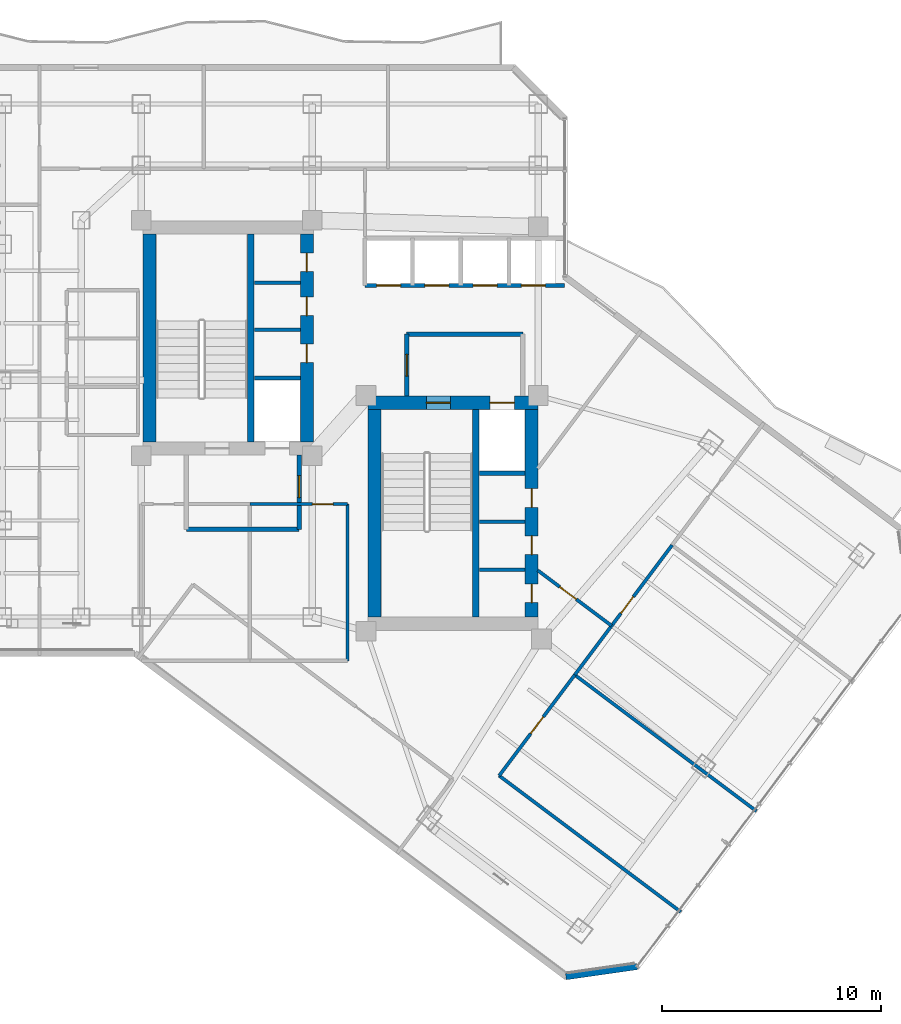
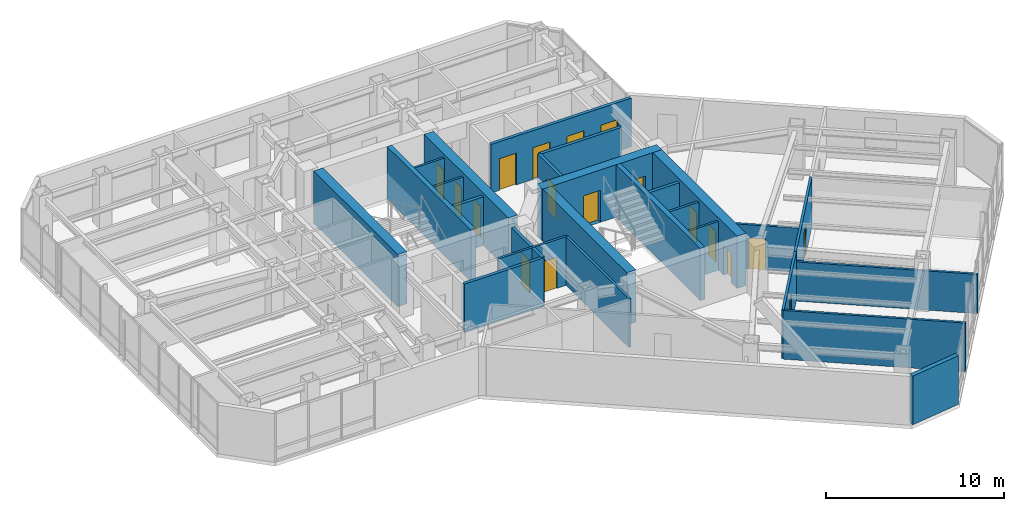
# One storey, part 23 of 28: 26 walls, 18 doors, 18 openings.
"""IFC4 building model written with IfcOpenShell, lengths in metres."""

from ifc_helpers import new_model, si_unit, direction, frame, frame_2d, origin, place, context, subcontext, project, spatial, rectangle, extrude, material, layer, layer_set, type_object, element, fill, save


model = new_model("IFC4")

# Units and contexts
model_context = context("Model", 3, precision=1e-05, world=origin(), true_north=direction((0.0, 1.0)))
body_context = subcontext(model_context, "Body", "Model", "MODEL_VIEW")
ifc_project = project(units=[si_unit("LENGTHUNIT", "METRE"), si_unit("AREAUNIT", "SQUARE_METRE"), si_unit("VOLUMEUNIT", "CUBIC_METRE"), si_unit("PLANEANGLEUNIT", "RADIAN"), si_unit("MASSUNIT", "GRAM", prefix="KILO")], contexts=[model_context])

# Site, building, storey
site_placement = place(None, origin())
site = spatial("IfcSite", under=ifc_project, at=site_placement, CompositionType="ELEMENT")
building_placement = place(site_placement, origin())
building = spatial("IfcBuilding", under=site, at=building_placement, Name="Hatsunagi Terrace Concourse", CompositionType="ELEMENT")
storey_placement = place(building_placement, frame((0.0, 0.0, 160.050048828125)))
storey = spatial("IfcBuildingStorey", under=building, at=storey_placement, Name="L42", CompositionType="ELEMENT", Elevation=160.050048828125)

# Wall
ifc_material_1 = material(Name="Concrete Fc48", Category="concrete")
ifc_layer_1 = layer(ifc_material_1, 0.60009765625)
ifc_layer_set_1 = layer_set([ifc_layer_1], Name="CoreShearWall_Fc48_600")
wall_type_1 = type_object("IfcWallType", Name="CoreShearWall_Fc48_600", PredefinedType="SHEAR", material=ifc_layer_set_1)
wall_1_placement = place(storey_placement, frame((25.919921875, 33.18994140625, 0.0), z_axis=(0.0, 0.0, 1.0), x_axis=(0.0, 1.0, 0.0)))
element("IfcWall", 1, at=wall_1_placement, inside=storey, type_object=wall_type_1, Name="Core A Shear Wall W L42", PredefinedType="SHEAR", context=body_context, shape_type="SweptSolid", body=[
    extrude(rectangle(XDim=9.47998046875, YDim=0.60009765625, at=frame_2d((4.739990234375, 0.0))), origin(), (0.0, 0.0, 1.0), 3.599853515625),
])

# Wall, openings, doors
wall_2_placement = place(storey_placement, frame((33.10009765625, 33.18994140625, 0.0), z_axis=(0.0, 0.0, 1.0), x_axis=(0.0, 1.0, 0.0)))
wall_2 = element("IfcWall", 2, at=wall_2_placement, inside=storey, type_object=wall_type_1, Name="Core A Shear Wall E L42", PredefinedType="SHEAR", context=body_context, shape_type="SweptSolid", body=[
    extrude(rectangle(XDim=9.47998046875, YDim=0.60009765625, at=frame_2d((4.739990234375, 0.0))), origin(), (0.0, 0.0, 1.0), 3.599853515625),
])
opening_1_placement = place(wall_2_placement, frame((3.610107421875, 0.0, 0.0)))
opening_1 = element("IfcOpeningElement", 3, at=opening_1_placement, cuts=wall_2, Name="Opening DR-085", PredefinedType="OPENING", context=body_context, shape_type="SweptSolid", body=[
    extrude(rectangle(XDim=0.85009765625, YDim=2.080078125, at=frame_2d((0.425048828125, 1.0400390625))), frame((0.0, 0.31005859375, 0.0), z_axis=(0.0, -1.0, 0.0), x_axis=(1.0, 0.0, 0.0)), (0.0, 0.0, 1.0), 0.6201171875),
])
opening_2_placement = place(wall_2_placement, frame((5.760009765625, 0.0, 0.0)))
opening_2 = element("IfcOpeningElement", 4, at=opening_2_placement, cuts=wall_2, Name="Opening DR-085", PredefinedType="OPENING", context=body_context, shape_type="SweptSolid", body=[
    extrude(rectangle(XDim=0.85009765625, YDim=2.080078125, at=frame_2d((0.425048828125, 1.0400390625))), frame((0.0, 0.31005859375, 0.0), z_axis=(0.0, -1.0, 0.0), x_axis=(1.0, 0.0, 0.0)), (0.0, 0.0, 1.0), 0.6201171875),
])
opening_3_placement = place(wall_2_placement, frame((7.760009765625, 0.0, 0.0)))
opening_3 = element("IfcOpeningElement", 5, at=opening_3_placement, cuts=wall_2, Name="Opening DR-085", PredefinedType="OPENING", context=body_context, shape_type="SweptSolid", body=[
    extrude(rectangle(XDim=0.85009765625, YDim=2.080078125, at=frame_2d((0.425048828125, 1.0400390625))), frame((0.0, 0.31005859375, 0.0), z_axis=(0.0, -1.0, 0.0), x_axis=(1.0, 0.0, 0.0)), (0.0, 0.0, 1.0), 0.6201171875),
])
ifc_material_2 = material(Name="Painted steel", Category="steel")
door_type_1 = type_object("IfcDoorType", Name="RiserAccessDoor_EI60_850", OperationType="NOTDEFINED", PredefinedType="DOOR", material=ifc_material_2)
door_1_placement = place(opening_1_placement, origin())
door_1 = element("IfcDoor", 6, at=door_1_placement, inside=storey, type_object=door_type_1, Name="Core A Riser Door L42-1", OperationType="SINGLE_SWING_LEFT", OverallHeight=2.080078125, OverallWidth=0.85009765625, PredefinedType="DOOR", context=body_context, shape_type="SweptSolid", body=[
    extrude(rectangle(XDim=0.85009765625, YDim=2.080078125, at=frame_2d((0.425048828125, 1.0400390625))), frame((0.0, 0.02490234375, 0.0), z_axis=(0.0, -1.0, 0.0), x_axis=(1.0, 0.0, 0.0)), (0.0, 0.0, 1.0), 0.050048828125),
])
fill(opening_1, door_1)
door_2_placement = place(opening_2_placement, origin())
door_2 = element("IfcDoor", 7, at=door_2_placement, inside=storey, type_object=door_type_1, Name="Core A Riser Door L42-2", OperationType="SINGLE_SWING_LEFT", OverallHeight=2.080078125, OverallWidth=0.85009765625, PredefinedType="DOOR", context=body_context, shape_type="SweptSolid", body=[
    extrude(rectangle(XDim=0.85009765625, YDim=2.080078125, at=frame_2d((0.425048828125, 1.0400390625))), frame((0.0, 0.02490234375, 0.0), z_axis=(0.0, -1.0, 0.0), x_axis=(1.0, 0.0, 0.0)), (0.0, 0.0, 1.0), 0.050048828125),
])
fill(opening_2, door_2)
door_3_placement = place(opening_3_placement, origin())
door_3 = element("IfcDoor", 8, at=door_3_placement, inside=storey, type_object=door_type_1, Name="Core A Riser Door L42-3", OperationType="SINGLE_SWING_LEFT", OverallHeight=2.080078125, OverallWidth=0.85009765625, PredefinedType="DOOR", context=body_context, shape_type="SweptSolid", body=[
    extrude(rectangle(XDim=0.85009765625, YDim=2.080078125, at=frame_2d((0.425048828125, 1.0400390625))), frame((0.0, 0.02490234375, 0.0), z_axis=(0.0, -1.0, 0.0), x_axis=(1.0, 0.0, 0.0)), (0.0, 0.0, 1.0), 0.050048828125),
])
fill(opening_3, door_3)

wall_3_placement = place(storey_placement, frame((35.889892578125, 34.969970703125, 0.0), z_axis=(0.0, 0.0, 1.0), x_axis=(1.0, 0.0, 0.0)))
wall_3 = element("IfcWall", 9, at=wall_3_placement, inside=storey, type_object=wall_type_1, Name="Core B Shear Wall N L42", PredefinedType="SHEAR", context=body_context, shape_type="SweptSolid", body=[
    extrude(rectangle(XDim=7.760009765625, YDim=0.60009765625, at=frame_2d((3.8798828125, 0.0))), origin(), (0.0, 0.0, 1.0), 3.599853515625),
])
opening_4_placement = place(wall_3_placement, frame((2.659912109375, 0.0, 0.0)))
opening_4 = element("IfcOpeningElement", 10, at=opening_4_placement, cuts=wall_3, Name="Opening DR-110S", PredefinedType="OPENING", context=body_context, shape_type="SweptSolid", body=[
    extrude(rectangle(XDim=1.10009765625, YDim=2.199951171875, at=frame_2d((0.550048828125, 1.10009765625))), frame((0.0, 0.31005859375, 0.0), z_axis=(0.0, -1.0, 0.0), x_axis=(1.0, 0.0, 0.0)), (0.0, 0.0, 1.0), 0.6201171875),
])
opening_5_placement = place(wall_3_placement, frame((5.56005859375, 0.0, 0.0)))
opening_5 = element("IfcOpeningElement", 11, at=opening_5_placement, cuts=wall_3, Name="Opening LD-02", PredefinedType="OPENING", context=body_context, shape_type="SweptSolid", body=[
    extrude(rectangle(XDim=1.1201171875, YDim=2.14990234375, at=frame_2d((0.56005859375, 1.074951171875))), frame((0.0, 0.31005859375, 0.0), z_axis=(0.0, -1.0, 0.0), x_axis=(1.0, 0.0, 0.0)), (0.0, 0.0, 1.0), 0.6201171875),
])
ifc_material_3 = material(Name="Stainless steel", Category="steel")
door_type_2 = type_object("IfcDoorType", Name="LiftLandingDoor_LD02", OperationType="SLIDING_TO_RIGHT", PredefinedType="USERDEFINED", material=ifc_material_3)
door_4_placement = place(opening_5_placement, origin())
door_4 = element("IfcDoor", 12, at=door_4_placement, inside=storey, type_object=door_type_2, Name="Lift landing door FF-02 L42", ObjectType="SLIDING_LANDING_DOOR", OperationType="SLIDING_TO_RIGHT", OverallHeight=2.14990234375, OverallWidth=1.1201171875, PredefinedType="USERDEFINED", context=body_context, shape_type="SweptSolid", body=[
    extrude(rectangle(XDim=1.1201171875, YDim=2.14990234375, at=frame_2d((0.56005859375, 1.074951171875))), frame((0.0, 0.02490234375, 0.0), z_axis=(0.0, -1.0, 0.0), x_axis=(1.0, 0.0, 0.0)), (0.0, 0.0, 1.0), 0.050048828125),
])
fill(opening_5, door_4)
ifc_material_4 = material(Name="Painted steel", Category="steel")
door_type_3 = type_object("IfcDoorType", Name="StairFireDoor_EI60_1100", OperationType="NOTDEFINED", PredefinedType="DOOR", material=ifc_material_4)
door_5_placement = place(opening_4_placement, origin())
door_5 = element("IfcDoor", 13, at=door_5_placement, inside=storey, type_object=door_type_3, Name="Stair ST-B Exit Door L42", OperationType="SINGLE_SWING_RIGHT", OverallHeight=2.199951171875, OverallWidth=1.10009765625, PredefinedType="DOOR", context=body_context, shape_type="SweptSolid", body=[
    extrude(rectangle(XDim=1.10009765625, YDim=2.199951171875, at=frame_2d((0.550048828125, 1.10009765625))), frame((0.0, 0.02490234375, 0.0), z_axis=(0.0, -1.0, 0.0), x_axis=(1.0, 0.0, 0.0)), (0.0, 0.0, 1.0), 0.050048828125),
])
fill(opening_4, door_5)

# Wall
wall_4_placement = place(storey_placement, frame((36.18994140625, 25.18994140625, 0.0), z_axis=(0.0, 0.0, 1.0), x_axis=(0.0, 1.0, 0.0)))
element("IfcWall", 14, at=wall_4_placement, inside=storey, type_object=wall_type_1, Name="Core B Shear Wall W L42", PredefinedType="SHEAR", context=body_context, shape_type="SweptSolid", body=[
    extrude(rectangle(XDim=9.47998046875, YDim=0.60009765625, at=frame_2d((4.739990234375, 0.0))), origin(), (0.0, 0.0, 1.0), 3.599853515625),
])

# Wall, openings, doors
wall_5_placement = place(storey_placement, frame((43.35009765625, 25.18994140625, 0.0), z_axis=(0.0, 0.0, 1.0), x_axis=(0.0, 1.0, 0.0)))
wall_5 = element("IfcWall", 15, at=wall_5_placement, inside=storey, type_object=wall_type_1, Name="Core B Shear Wall E L42", PredefinedType="SHEAR", context=body_context, shape_type="SweptSolid", body=[
    extrude(rectangle(XDim=9.47998046875, YDim=0.60009765625, at=frame_2d((4.739990234375, 0.0))), origin(), (0.0, 0.0, 1.0), 3.599853515625),
])
opening_6_placement = place(wall_5_placement, frame((0.659912109375, 0.0, 0.0)))
opening_6 = element("IfcOpeningElement", 16, at=opening_6_placement, cuts=wall_5, Name="Opening DR-085", PredefinedType="OPENING", context=body_context, shape_type="SweptSolid", body=[
    extrude(rectangle(XDim=0.85009765625, YDim=2.080078125, at=frame_2d((0.425048828125, 1.0400390625))), frame((0.0, 0.31005859375, 0.0), z_axis=(0.0, -1.0, 0.0), x_axis=(1.0, 0.0, 0.0)), (0.0, 0.0, 1.0), 0.6201171875),
])
opening_7_placement = place(wall_5_placement, frame((2.860107421875, 0.0, 0.0)))
opening_7 = element("IfcOpeningElement", 17, at=opening_7_placement, cuts=wall_5, Name="Opening DR-085", PredefinedType="OPENING", context=body_context, shape_type="SweptSolid", body=[
    extrude(rectangle(XDim=0.85009765625, YDim=2.080078125, at=frame_2d((0.425048828125, 1.0400390625))), frame((0.0, 0.31005859375, 0.0), z_axis=(0.0, -1.0, 0.0), x_axis=(1.0, 0.0, 0.0)), (0.0, 0.0, 1.0), 0.6201171875),
])
opening_8_placement = place(wall_5_placement, frame((5.010009765625, 0.0, 0.0)))
opening_8 = element("IfcOpeningElement", 18, at=opening_8_placement, cuts=wall_5, Name="Opening DR-085", PredefinedType="OPENING", context=body_context, shape_type="SweptSolid", body=[
    extrude(rectangle(XDim=0.85009765625, YDim=2.080078125, at=frame_2d((0.425048828125, 1.0400390625))), frame((0.0, 0.31005859375, 0.0), z_axis=(0.0, -1.0, 0.0), x_axis=(1.0, 0.0, 0.0)), (0.0, 0.0, 1.0), 0.6201171875),
])
door_6_placement = place(opening_6_placement, origin())
door_6 = element("IfcDoor", 19, at=door_6_placement, inside=storey, type_object=door_type_1, Name="Core B Riser Door L42-1", OperationType="SINGLE_SWING_RIGHT", OverallHeight=2.080078125, OverallWidth=0.85009765625, PredefinedType="DOOR", context=body_context, shape_type="SweptSolid", body=[
    extrude(rectangle(XDim=0.85009765625, YDim=2.080078125, at=frame_2d((0.425048828125, 1.0400390625))), frame((0.0, 0.02490234375, 0.0), z_axis=(0.0, -1.0, 0.0), x_axis=(1.0, 0.0, 0.0)), (0.0, 0.0, 1.0), 0.050048828125),
])
fill(opening_6, door_6)
door_7_placement = place(opening_7_placement, origin())
door_7 = element("IfcDoor", 20, at=door_7_placement, inside=storey, type_object=door_type_1, Name="Core B Riser Door L42-2", OperationType="SINGLE_SWING_RIGHT", OverallHeight=2.080078125, OverallWidth=0.85009765625, PredefinedType="DOOR", context=body_context, shape_type="SweptSolid", body=[
    extrude(rectangle(XDim=0.85009765625, YDim=2.080078125, at=frame_2d((0.425048828125, 1.0400390625))), frame((0.0, 0.02490234375, 0.0), z_axis=(0.0, -1.0, 0.0), x_axis=(1.0, 0.0, 0.0)), (0.0, 0.0, 1.0), 0.050048828125),
])
fill(opening_7, door_7)
door_8_placement = place(opening_8_placement, origin())
door_8 = element("IfcDoor", 21, at=door_8_placement, inside=storey, type_object=door_type_1, Name="Core B Riser Door L42-3", OperationType="SINGLE_SWING_RIGHT", OverallHeight=2.080078125, OverallWidth=0.85009765625, PredefinedType="DOOR", context=body_context, shape_type="SweptSolid", body=[
    extrude(rectangle(XDim=0.85009765625, YDim=2.080078125, at=frame_2d((0.425048828125, 1.0400390625))), frame((0.0, 0.02490234375, 0.0), z_axis=(0.0, -1.0, 0.0), x_axis=(1.0, 0.0, 0.0)), (0.0, 0.0, 1.0), 0.050048828125),
])
fill(opening_8, door_8)

# Walls
ifc_material_5 = material(Name="Concrete Fc48", Category="concrete")
ifc_layer_2 = layer(ifc_material_5, 0.300048828125)
ifc_layer_set_2 = layer_set([ifc_layer_2], Name="CoreStairDivider_Fc48_300")
wall_type_2 = type_object("IfcWallType", Name="CoreStairDivider_Fc48_300", PredefinedType="SHEAR", material=ifc_layer_set_2)
for number, where, z_axis, x_axis, name in (
    (22, (30.5400390625, 33.18994140625, 0.0), (0.0, 0.0, 1.0), (0.0, 1.0, 0.0), "Core A Shear Wall D L42"),
    (23, (40.81005859375, 25.18994140625, 0.0), (0.0, 0.0, 1.0), (0.0, 1.0, 0.0), "Core B Shear Wall D L42"),
):
    element("IfcWall", number, at=place(storey_placement, frame(where, z_axis=z_axis, x_axis=x_axis)), inside=storey, type_object=wall_type_2, Name=name, PredefinedType="SHEAR", context=body_context, shape_type="SweptSolid", body=[
        extrude(rectangle(XDim=9.47998046875, YDim=0.300048828125, at=frame_2d((4.739990234375, 0.0))), origin(), (0.0, 0.0, 1.0), 3.599853515625),
    ])
ifc_material_6 = material(Name="Acoustic mineral board", Category="gypsum")
ifc_layer_3 = layer(ifc_material_6, 0.14990234375)
ifc_layer_set_3 = layer_set([ifc_layer_3], Name="PartitionWall_EI60_150")
wall_type_3 = type_object("IfcWallType", Name="PartitionWall_EI60_150", PredefinedType="PARTITIONING", material=ifc_layer_set_3)
for number, where, z_axis, x_axis, name in (
    (24, (30.699951171875, 38.300048828125, 0.0), (0.0, 0.0, 1.0), (1.0, 0.0, 0.0), "Interior Partition IW-L42-002"),
    (25, (30.699951171875, 40.449951171875, 0.0), (0.0, 0.0, 1.0), (1.0, 0.0, 0.0), "Interior Partition IW-L42-003"),
):
    element("IfcWall", number, at=place(storey_placement, frame(where, z_axis=z_axis, x_axis=x_axis)), inside=storey, type_object=wall_type_3, Name=name, PredefinedType="PARTITIONING", context=body_context, shape_type="SweptSolid", body=[
        extrude(rectangle(XDim=2.10009765625, YDim=0.14990234375, at=frame_2d((1.050048828125, 0.0))), origin(), (0.0, 0.0, 1.0), 3.349853515625),
    ])
for number, where, z_axis, x_axis, name in (
    (26, (40.969970703125, 27.35009765625, 0.0), (0.0, 0.0, 1.0), (1.0, 0.0, 0.0), "Interior Partition IW-L42-005"),
    (27, (40.969970703125, 29.550048828125, 0.0), (0.0, 0.0, 1.0), (1.0, 0.0, 0.0), "Interior Partition IW-L42-006"),
):
    element("IfcWall", number, at=place(storey_placement, frame(where, z_axis=z_axis, x_axis=x_axis)), inside=storey, type_object=wall_type_3, Name=name, PredefinedType="PARTITIONING", context=body_context, shape_type="SweptSolid", body=[
        extrude(rectangle(XDim=2.080078125, YDim=0.14990234375, at=frame_2d((1.0400390625, 0.0))), origin(), (0.0, 0.0, 1.0), 3.349853515625),
    ])

# Wall, opening, door
wall_6_placement = place(storey_placement, frame((30.5, 30.35009765625, 0.0), z_axis=(0.0, 0.0, 1.0), x_axis=(1.0, 0.0, 0.0)))
wall_6 = element("IfcWall", 28, at=wall_6_placement, inside=storey, type_object=wall_type_3, Name="Interior Partition IW-L42-032", PredefinedType="PARTITIONING", context=body_context, shape_type="SweptSolid", body=[
    extrude(rectangle(XDim=4.449951171875, YDim=0.14990234375, at=frame_2d((2.22509765625, 0.0))), origin(), (0.0, 0.0, 1.0), 3.349853515625),
])
opening_9_placement = place(wall_6_placement, frame((2.845947265625, 0.0, 0.0)))
opening_9 = element("IfcOpeningElement", 29, at=opening_9_placement, cuts=wall_6, Name="Opening DR-095", PredefinedType="OPENING", context=body_context, shape_type="SweptSolid", body=[
    extrude(rectangle(XDim=0.949951171875, YDim=2.14990234375, at=frame_2d((0.47509765625, 1.074951171875))), frame((0.0, 0.0849609375, 0.0), z_axis=(0.0, -1.0, 0.0), x_axis=(1.0, 0.0, 0.0)), (0.0, 0.0, 1.0), 0.169921875),
])
ifc_material_7 = material(Name="Hardwood timber", Category="wood")
door_type_4 = type_object("IfcDoorType", Name="InteriorSuiteDoor_EI30_950", OperationType="NOTDEFINED", PredefinedType="DOOR", material=ifc_material_7)
door_9_placement = place(opening_9_placement, origin())
door_9 = element("IfcDoor", 30, at=door_9_placement, inside=storey, type_object=door_type_4, Name="Executive Briefing Room L42-RECL2 Door", OperationType="SINGLE_SWING_RIGHT", OverallHeight=2.14990234375, OverallWidth=0.949951171875, PredefinedType="DOOR", context=body_context, shape_type="SweptSolid", body=[
    extrude(rectangle(XDim=0.949951171875, YDim=2.14990234375, at=frame_2d((0.47509765625, 1.074951171875))), frame((0.0, 0.02490234375, 0.0), z_axis=(0.0, -1.0, 0.0), x_axis=(1.0, 0.0, 0.0)), (0.0, 0.0, 1.0), 0.050048828125),
])
fill(opening_9, door_9)

# Walls
wall_7_placement = place(storey_placement, frame((34.949951171875, 23.199951171875, 0.0), z_axis=(0.0, 0.0, 1.0), x_axis=(0.0, 1.0, 0.0)))
element("IfcWall", 31, at=wall_7_placement, inside=storey, type_object=wall_type_3, Name="Interior Partition IW-L42-033", PredefinedType="PARTITIONING", context=body_context, shape_type="SweptSolid", body=[
    extrude(rectangle(XDim=7.150146484375, YDim=0.14990234375, at=frame_2d((3.5751953125, 0.0))), origin(), (0.0, 0.0, 1.0), 3.349853515625),
])
wall_8_placement = place(storey_placement, frame((41.8701171875, 17.9599609375, 0.0), z_axis=(0.0, 0.0, 1.0), x_axis=(0.799991516197, -0.600011311571, 0.0)))
element("IfcWall", 32, at=wall_8_placement, inside=storey, type_object=wall_type_3, Name="Interior Partition IW-L42-046", PredefinedType="PARTITIONING", context=body_context, shape_type="SweptSolid", body=[
    extrude(rectangle(XDim=10.35986328125, YDim=0.14990234375, at=frame_2d((5.179931640625, 0.0))), origin(), (0.0, 0.0, 1.0), 3.349853515625),
])
wall_9_placement = place(storey_placement, frame((45.320068359375, 22.56005859375, 0.0), z_axis=(0.0, 0.0, 1.0), x_axis=(0.799991516197, -0.600011311571, 0.0)))
element("IfcWall", 33, at=wall_9_placement, inside=storey, type_object=wall_type_3, Name="Interior Partition IW-L42-047", PredefinedType="PARTITIONING", context=body_context, shape_type="SweptSolid", body=[
    extrude(rectangle(XDim=10.35986328125, YDim=0.14990234375, at=frame_2d((5.179931640625, 0.0))), origin(), (0.0, 0.0, 1.0), 2.695068359375),
])

# Wall, opening, door
wall_10_placement = place(storey_placement, frame((41.8701171875, 17.9599609375, 0.0), z_axis=(0.0, 0.0, 1.0), x_axis=(0.599986413072, 0.800010190015, 0.0)))
wall_10 = element("IfcWall", 34, at=wall_10_placement, inside=storey, type_object=wall_type_3, Name="Interior Partition IW-L42-048", PredefinedType="PARTITIONING", context=body_context, shape_type="SweptSolid", body=[
    extrude(rectangle(XDim=5.75, YDim=0.14990234375, at=frame_2d((2.875, 0.0))), origin(), (0.0, 0.0, 1.0), 3.349853515625),
])
opening_10_placement = place(wall_10_placement, frame((2.39990234375, 0.0, 0.0)))
opening_10 = element("IfcOpeningElement", 35, at=opening_10_placement, cuts=wall_10, Name="Opening DR-095", PredefinedType="OPENING", context=body_context, shape_type="SweptSolid", body=[
    extrude(rectangle(XDim=0.949951171875, YDim=2.14990234375, at=frame_2d((0.47509765625, 1.074951171875))), frame((0.0, 0.0849609375, 0.0), z_axis=(0.0, -1.0, 0.0), x_axis=(1.0, 0.0, 0.0)), (0.0, 0.0, 1.0), 0.169921875),
])
door_10_placement = place(opening_10_placement, origin())
door_10 = element("IfcDoor", 36, at=door_10_placement, inside=storey, type_object=door_type_4, Name="Meeting Room L42-OSE1 Door", OperationType="SINGLE_SWING_RIGHT", OverallHeight=2.14990234375, OverallWidth=0.949951171875, PredefinedType="DOOR", context=body_context, shape_type="SweptSolid", body=[
    extrude(rectangle(XDim=0.949951171875, YDim=2.14990234375, at=frame_2d((0.47509765625, 1.074951171875))), frame((0.0, 0.02490234375, 0.0), z_axis=(0.0, -1.0, 0.0), x_axis=(1.0, 0.0, 0.0)), (0.0, 0.0, 1.0), 0.050048828125),
])
fill(opening_10, door_10)

wall_11_placement = place(storey_placement, frame((45.320068359375, 22.56005859375, 0.0), z_axis=(0.0, 0.0, 1.0), x_axis=(0.6, 0.8, 0.0)))
wall_11 = element("IfcWall", 37, at=wall_11_placement, inside=storey, type_object=wall_type_3, Name="Interior Partition IW-L42-050", PredefinedType="PARTITIONING", context=body_context, shape_type="SweptSolid", body=[
    extrude(rectangle(XDim=7.39990234375, YDim=0.14990234375, at=frame_2d((3.699951171875, 0.0))), origin(), (0.0, 0.0, 1.0), 3.349853515625),
])
opening_11_placement = place(wall_11_placement, frame((3.510009765625, 0.0, 0.0)))
opening_11 = element("IfcOpeningElement", 38, at=opening_11_placement, cuts=wall_11, Name="Opening DR-095", PredefinedType="OPENING", context=body_context, shape_type="SweptSolid", body=[
    extrude(rectangle(XDim=0.949951171875, YDim=2.14990234375, at=frame_2d((0.47509765625, 1.074951171875))), frame((0.0, 0.0849609375, 0.0), z_axis=(0.0, -1.0, 0.0), x_axis=(1.0, 0.0, 0.0)), (0.0, 0.0, 1.0), 0.169921875),
])
door_11_placement = place(opening_11_placement, origin())
door_11 = element("IfcDoor", 39, at=door_11_placement, inside=storey, type_object=door_type_4, Name="Team Innovation Studio L42-OSE2 Door", OperationType="SINGLE_SWING_RIGHT", OverallHeight=2.14990234375, OverallWidth=0.949951171875, PredefinedType="DOOR", context=body_context, shape_type="SweptSolid", body=[
    extrude(rectangle(XDim=0.949951171875, YDim=2.14990234375, at=frame_2d((0.47509765625, 1.074951171875))), frame((0.0, 0.02490234375, 0.0), z_axis=(0.0, -1.0, 0.0), x_axis=(1.0, 0.0, 0.0)), (0.0, 0.0, 1.0), 0.050048828125),
])
fill(opening_11, door_11)

wall_12_placement = place(storey_placement, frame((43.6298828125, 27.327880859375, 0.0), z_axis=(0.0, 0.0, 1.0), x_axis=(0.799972182084, -0.600037088764, 0.0)))
wall_12 = element("IfcWall", 40, at=wall_12_placement, inside=storey, type_object=wall_type_3, Name="Interior Partition IW-L42-052", PredefinedType="PARTITIONING", context=body_context, shape_type="SweptSolid", body=[
    extrude(rectangle(XDim=4.212890625, YDim=0.14990234375, at=frame_2d((2.1064453125, 0.0))), origin(), (0.0, 0.0, 1.0), 3.044921875),
])
opening_12_placement = place(wall_12_placement, frame((1.256103515625, 0.0, 0.0)))
opening_12 = element("IfcOpeningElement", 41, at=opening_12_placement, cuts=wall_12, Name="Opening DR-095", PredefinedType="OPENING", context=body_context, shape_type="SweptSolid", body=[
    extrude(rectangle(XDim=0.949951171875, YDim=2.14990234375, at=frame_2d((0.47509765625, 1.074951171875))), frame((0.0, 0.0849609375, 0.0), z_axis=(0.0, -1.0, 0.0), x_axis=(1.0, 0.0, 0.0)), (0.0, 0.0, 1.0), 0.169921875),
])
door_12_placement = place(opening_12_placement, origin())
door_12 = element("IfcDoor", 42, at=door_12_placement, inside=storey, type_object=door_type_4, Name="Collaboration Lounge L42-OSEN0 Door", OperationType="SINGLE_SWING_LEFT", OverallHeight=2.14990234375, OverallWidth=0.949951171875, PredefinedType="DOOR", context=body_context, shape_type="SweptSolid", body=[
    extrude(rectangle(XDim=0.949951171875, YDim=2.14990234375, at=frame_2d((0.47509765625, 1.074951171875))), frame((0.0, 0.02490234375, 0.0), z_axis=(0.0, -1.0, 0.0), x_axis=(1.0, 0.0, 0.0)), (0.0, 0.0, 1.0), 0.050048828125),
])
fill(opening_12, door_12)

# Walls
ifc_material_8 = material(Name="Acoustic mineral board", Category="gypsum")
ifc_layer_4 = layer(ifc_material_8, 0.199951171875)
ifc_layer_set_4 = layer_set([ifc_layer_4], Name="ShaftWall_EI120_200")
wall_type_4 = type_object("IfcWallType", Name="ShaftWall_EI120_200", PredefinedType="STANDARD", material=ifc_layer_set_4)
wall_13_placement = place(storey_placement, frame((30.699951171875, 36.10009765625, 0.0), z_axis=(0.0, 0.0, 1.0), x_axis=(1.0, 0.0, 0.0)))
element("IfcWall", 43, at=wall_13_placement, inside=storey, type_object=wall_type_4, Name="Interior Partition IW-L42-001", PredefinedType="STANDARD", context=body_context, shape_type="SweptSolid", body=[
    extrude(rectangle(XDim=2.10009765625, YDim=0.199951171875, at=frame_2d((1.050048828125, 0.0))), origin(), (0.0, 0.0, 1.0), 3.349853515625),
])
wall_14_placement = place(storey_placement, frame((40.969970703125, 31.760009765625, 0.0), z_axis=(0.0, 0.0, 1.0), x_axis=(1.0, 0.0, 0.0)))
element("IfcWall", 44, at=wall_14_placement, inside=storey, type_object=wall_type_4, Name="Interior Partition IW-L42-004", PredefinedType="STANDARD", context=body_context, shape_type="SweptSolid", body=[
    extrude(rectangle(XDim=2.080078125, YDim=0.199951171875, at=frame_2d((1.0400390625, 0.0))), origin(), (0.0, 0.0, 1.0), 3.349853515625),
])
wall_15_placement = place(storey_placement, frame((27.60009765625, 29.199951171875, 0.0), z_axis=(0.0, 0.0, 1.0), x_axis=(1.0, 0.0, 0.0)))
element("IfcWall", 45, at=wall_15_placement, inside=storey, type_object=wall_type_4, Name="Interior Partition IW-L42-007", PredefinedType="STANDARD", context=body_context, shape_type="SweptSolid", body=[
    extrude(rectangle(XDim=5.14990234375, YDim=0.199951171875, at=frame_2d((2.574951171875, 0.0))), origin(), (0.0, 0.0, 1.0), 3.349853515625),
])

# Wall, opening, door
wall_16_placement = place(storey_placement, frame((32.75, 29.199951171875, 0.0), z_axis=(0.0, 0.0, 1.0), x_axis=(0.0, 1.0, 0.0)))
wall_16 = element("IfcWall", 46, at=wall_16_placement, inside=storey, type_object=wall_type_4, Name="Interior Partition IW-L42-009", PredefinedType="STANDARD", context=body_context, shape_type="SweptSolid", body=[
    extrude(rectangle(XDim=3.39013671875, YDim=0.199951171875, at=frame_2d((1.695068359375, 0.0))), origin(), (0.0, 0.0, 1.0), 3.349853515625),
])
opening_13_placement = place(wall_16_placement, frame((1.449951171875, 0.0, 0.0)))
opening_13 = element("IfcOpeningElement", 47, at=opening_13_placement, cuts=wall_16, Name="Opening DR-100F", PredefinedType="OPENING", context=body_context, shape_type="SweptSolid", body=[
    extrude(rectangle(XDim=1.0, YDim=2.199951171875, at=frame_2d((0.5, 1.10009765625))), frame((0.0, 0.10986328125, 0.0), z_axis=(0.0, -1.0, 0.0), x_axis=(1.0, 0.0, 0.0)), (0.0, 0.0, 1.0), 0.219970703125),
])
ifc_material_9 = material(Name="Painted steel", Category="steel")
door_type_5 = type_object("IfcDoorType", Name="FireDoor_EI60_1000", OperationType="NOTDEFINED", PredefinedType="DOOR", material=ifc_material_9)
door_13_placement = place(opening_13_placement, origin())
door_13 = element("IfcDoor", 48, at=door_13_placement, inside=storey, type_object=door_type_5, Name="Firefighting Lobby A Door L42", OperationType="SINGLE_SWING_RIGHT", OverallHeight=2.199951171875, OverallWidth=1.0, PredefinedType="DOOR", context=body_context, shape_type="SweptSolid", body=[
    extrude(rectangle(XDim=1.0, YDim=2.199951171875, at=frame_2d((0.5, 1.10009765625))), frame((0.0, 0.02490234375, 0.0), z_axis=(0.0, -1.0, 0.0), x_axis=(1.0, 0.0, 0.0)), (0.0, 0.0, 1.0), 0.050048828125),
])
fill(opening_13, door_13)

# Wall
wall_17_placement = place(storey_placement, frame((37.64990234375, 38.10009765625, 0.0), z_axis=(0.0, 0.0, 1.0), x_axis=(1.0, 0.0, 0.0)))
element("IfcWall", 49, at=wall_17_placement, inside=storey, type_object=wall_type_4, Name="Interior Partition IW-L42-010", PredefinedType="STANDARD", context=body_context, shape_type="SweptSolid", body=[
    extrude(rectangle(XDim=5.300048828125, YDim=0.199951171875, at=frame_2d((2.64990234375, 0.0))), origin(), (0.0, 0.0, 1.0), 3.349853515625),
])

# Wall, opening, door
wall_18_placement = place(storey_placement, frame((37.64990234375, 35.27001953125, 0.0), z_axis=(0.0, 0.0, 1.0), x_axis=(0.0, 1.0, 0.0)))
wall_18 = element("IfcWall", 50, at=wall_18_placement, inside=storey, type_object=wall_type_4, Name="Interior Partition IW-L42-012", PredefinedType="STANDARD", context=body_context, shape_type="SweptSolid", body=[
    extrude(rectangle(XDim=2.830078125, YDim=0.199951171875, at=frame_2d((1.4150390625, 0.0))), origin(), (0.0, 0.0, 1.0), 3.349853515625),
])
opening_14_placement = place(wall_18_placement, frame((0.9150390625, 0.0, 0.0)))
opening_14 = element("IfcOpeningElement", 51, at=opening_14_placement, cuts=wall_18, Name="Opening DR-100F", PredefinedType="OPENING", context=body_context, shape_type="SweptSolid", body=[
    extrude(rectangle(XDim=1.0, YDim=2.199951171875, at=frame_2d((0.5, 1.10009765625))), frame((0.0, 0.10986328125, 0.0), z_axis=(0.0, -1.0, 0.0), x_axis=(1.0, 0.0, 0.0)), (0.0, 0.0, 1.0), 0.219970703125),
])
door_14_placement = place(opening_14_placement, origin())
door_14 = element("IfcDoor", 52, at=door_14_placement, inside=storey, type_object=door_type_5, Name="Firefighting Lobby B Door L42", OperationType="SINGLE_SWING_RIGHT", OverallHeight=2.199951171875, OverallWidth=1.0, PredefinedType="DOOR", context=body_context, shape_type="SweptSolid", body=[
    extrude(rectangle(XDim=1.0, YDim=2.199951171875, at=frame_2d((0.5, 1.10009765625))), frame((0.0, 0.02490234375, 0.0), z_axis=(0.0, -1.0, 0.0), x_axis=(1.0, 0.0, 0.0)), (0.0, 0.0, 1.0), 0.050048828125),
])
fill(opening_14, door_14)

# Wall, openings, doors
wall_19_placement = place(storey_placement, frame((35.75, 40.320068359375, 0.0), z_axis=(0.0, 0.0, 1.0), x_axis=(1.0, 0.0, 0.0)))
wall_19 = element("IfcWall", 53, at=wall_19_placement, inside=storey, type_object=wall_type_4, Name="Interior Partition IW-L42-018", PredefinedType="STANDARD", context=body_context, shape_type="SweptSolid", body=[
    extrude(rectangle(XDim=9.110107421875, YDim=0.199951171875, at=frame_2d((4.55517578125, 0.0))), origin(), (0.0, 0.0, 1.0), 3.349853515625),
])
opening_15_placement = place(wall_19_placement, frame((0.530029296875, 0.0, 0.0)))
opening_15 = element("IfcOpeningElement", 54, at=opening_15_placement, cuts=wall_19, Name="Opening LD-04", PredefinedType="OPENING", context=body_context, shape_type="SweptSolid", body=[
    extrude(rectangle(XDim=1.10009765625, YDim=2.179931640625, at=frame_2d((0.550048828125, 1.08984375))), frame((0.0, 0.10986328125, 0.0), z_axis=(0.0, -1.0, 0.0), x_axis=(1.0, 0.0, 0.0)), (0.0, 0.0, 1.0), 0.219970703125),
])
opening_16_placement = place(wall_19_placement, frame((2.72998046875, 0.0, 0.0)))
opening_16 = element("IfcOpeningElement", 55, at=opening_16_placement, cuts=wall_19, Name="Opening LD-04", PredefinedType="OPENING", context=body_context, shape_type="SweptSolid", body=[
    extrude(rectangle(XDim=1.10009765625, YDim=2.179931640625, at=frame_2d((0.550048828125, 1.08984375))), frame((0.0, 0.10986328125, 0.0), z_axis=(0.0, -1.0, 0.0), x_axis=(1.0, 0.0, 0.0)), (0.0, 0.0, 1.0), 0.219970703125),
])
opening_17_placement = place(wall_19_placement, frame((4.929931640625, 0.0, 0.0)))
opening_17 = element("IfcOpeningElement", 56, at=opening_17_placement, cuts=wall_19, Name="Opening LD-04", PredefinedType="OPENING", context=body_context, shape_type="SweptSolid", body=[
    extrude(rectangle(XDim=1.10009765625, YDim=2.179931640625, at=frame_2d((0.550048828125, 1.08984375))), frame((0.0, 0.10986328125, 0.0), z_axis=(0.0, -1.0, 0.0), x_axis=(1.0, 0.0, 0.0)), (0.0, 0.0, 1.0), 0.219970703125),
])
opening_18_placement = place(wall_19_placement, frame((7.1298828125, 0.0, 0.0)))
opening_18 = element("IfcOpeningElement", 57, at=opening_18_placement, cuts=wall_19, Name="Opening LD-04", PredefinedType="OPENING", context=body_context, shape_type="SweptSolid", body=[
    extrude(rectangle(XDim=1.10009765625, YDim=2.179931640625, at=frame_2d((0.550048828125, 1.08984375))), frame((0.0, 0.10986328125, 0.0), z_axis=(0.0, -1.0, 0.0), x_axis=(1.0, 0.0, 0.0)), (0.0, 0.0, 1.0), 0.219970703125),
])
ifc_material_10 = material(Name="Stainless steel", Category="steel")
door_type_6 = type_object("IfcDoorType", Name="LiftLandingDoor_LD04", OperationType="SLIDING_TO_RIGHT", PredefinedType="USERDEFINED", material=ifc_material_10)
door_15_placement = place(opening_15_placement, origin())
door_15 = element("IfcDoor", 58, at=door_15_placement, inside=storey, type_object=door_type_6, Name="Lift landing door PL-05 L42", ObjectType="SLIDING_LANDING_DOOR", OperationType="SLIDING_TO_RIGHT", OverallHeight=2.179931640625, OverallWidth=1.10009765625, PredefinedType="USERDEFINED", context=body_context, shape_type="SweptSolid", body=[
    extrude(rectangle(XDim=1.10009765625, YDim=2.179931640625, at=frame_2d((0.550048828125, 1.08984375))), frame((0.0, 0.02490234375, 0.0), z_axis=(0.0, -1.0, 0.0), x_axis=(1.0, 0.0, 0.0)), (0.0, 0.0, 1.0), 0.050048828125),
])
fill(opening_15, door_15)
door_16_placement = place(opening_16_placement, origin())
door_16 = element("IfcDoor", 59, at=door_16_placement, inside=storey, type_object=door_type_6, Name="Lift landing door PL-06 L42", ObjectType="SLIDING_LANDING_DOOR", OperationType="SLIDING_TO_RIGHT", OverallHeight=2.179931640625, OverallWidth=1.10009765625, PredefinedType="USERDEFINED", context=body_context, shape_type="SweptSolid", body=[
    extrude(rectangle(XDim=1.10009765625, YDim=2.179931640625, at=frame_2d((0.550048828125, 1.08984375))), frame((0.0, 0.02490234375, 0.0), z_axis=(0.0, -1.0, 0.0), x_axis=(1.0, 0.0, 0.0)), (0.0, 0.0, 1.0), 0.050048828125),
])
fill(opening_16, door_16)
door_17_placement = place(opening_17_placement, origin())
door_17 = element("IfcDoor", 60, at=door_17_placement, inside=storey, type_object=door_type_6, Name="Lift landing door PL-07 L42", ObjectType="SLIDING_LANDING_DOOR", OperationType="SLIDING_TO_RIGHT", OverallHeight=2.179931640625, OverallWidth=1.10009765625, PredefinedType="USERDEFINED", context=body_context, shape_type="SweptSolid", body=[
    extrude(rectangle(XDim=1.10009765625, YDim=2.179931640625, at=frame_2d((0.550048828125, 1.08984375))), frame((0.0, 0.02490234375, 0.0), z_axis=(0.0, -1.0, 0.0), x_axis=(1.0, 0.0, 0.0)), (0.0, 0.0, 1.0), 0.050048828125),
])
fill(opening_17, door_17)
door_18_placement = place(opening_18_placement, origin())
door_18 = element("IfcDoor", 61, at=door_18_placement, inside=storey, type_object=door_type_6, Name="Lift landing door PL-08 L42", ObjectType="SLIDING_LANDING_DOOR", OperationType="SLIDING_TO_RIGHT", OverallHeight=2.179931640625, OverallWidth=1.10009765625, PredefinedType="USERDEFINED", context=body_context, shape_type="SweptSolid", body=[
    extrude(rectangle(XDim=1.10009765625, YDim=2.179931640625, at=frame_2d((0.550048828125, 1.08984375))), frame((0.0, 0.02490234375, 0.0), z_axis=(0.0, -1.0, 0.0), x_axis=(1.0, 0.0, 0.0)), (0.0, 0.0, 1.0), 0.050048828125),
])
fill(opening_18, door_18)

# Wall
ifc_material_11 = material(Name="Autoclaved Lightweight Concrete and Terracotta Cladding", Category="masonry")
ifc_layer_5 = layer(ifc_material_11, 0.280029296875)
ifc_layer_set_5 = layer_set([ifc_layer_5], Name="TerracottaSpandrelWall_280")
wall_type_5 = type_object("IfcWallType", Name="TerracottaSpandrelWall_280", PredefinedType="STANDARD", material=ifc_layer_set_5)
wall_20_placement = place(storey_placement, frame((48.1630859375, 9.25, 0.0), z_axis=(0.0, 0.0, 1.0), x_axis=(-0.989979263428, -0.141212810973, 0.0)))
element("IfcWall", 62, at=wall_20_placement, inside=storey, type_object=wall_type_5, Name="Exterior Spandrel Wall EW-L42-04", PredefinedType="STANDARD", context=body_context, shape_type="SweptSolid", body=[
    extrude(rectangle(XDim=3.278076171875, YDim=0.280029296875, at=frame_2d((1.63916015625, 0.0))), origin(), (0.0, 0.0, 1.0), 3.349853515625),
])

save(model, "model.ifc")
